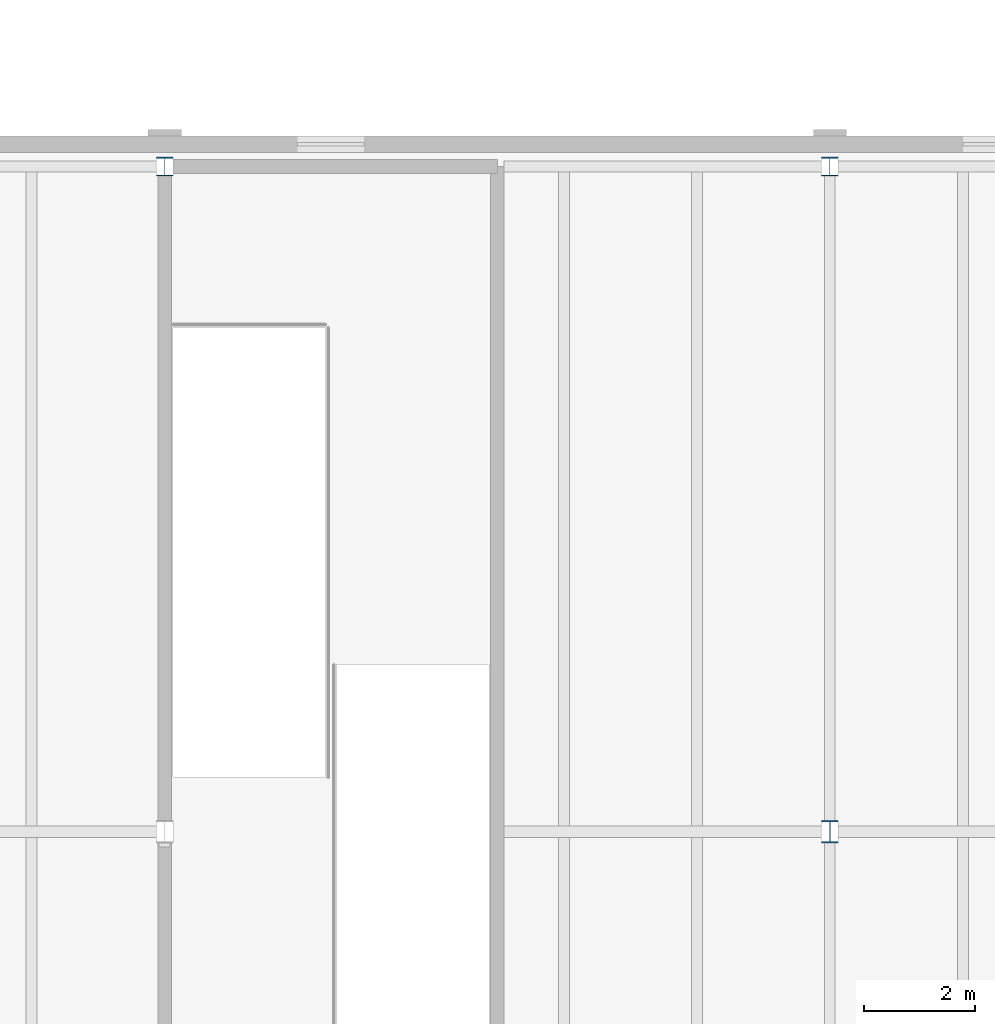
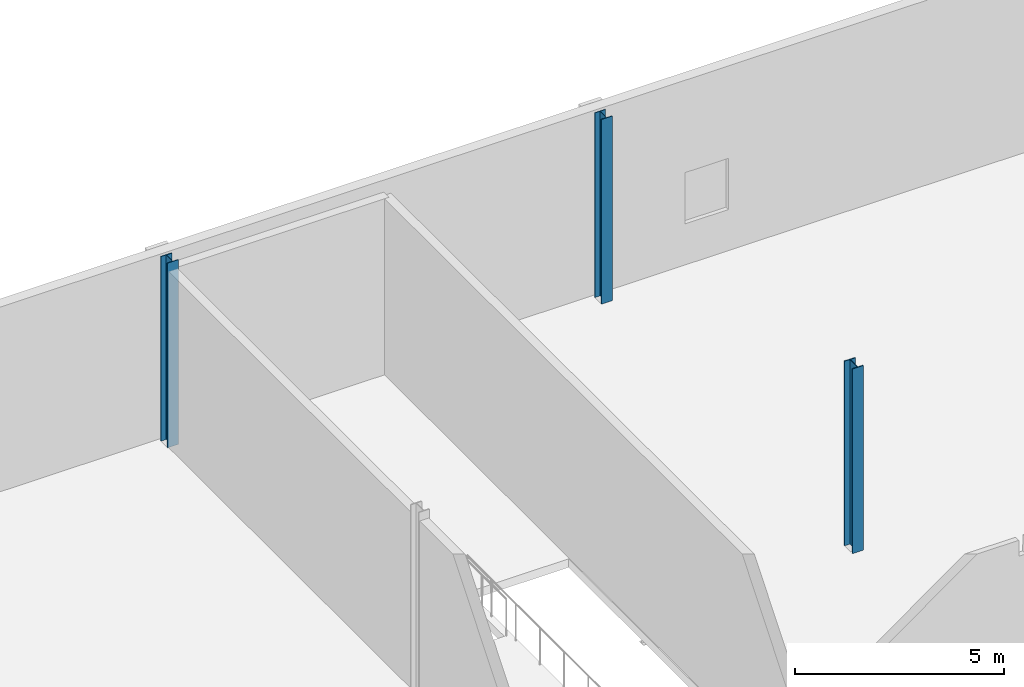
# One storey, part 6 of 321: 3 columns.
"""IFC4 building model written with IfcOpenShell, lengths in metres."""

from ifc_helpers import new_model, si_unit, direction, frame, origin, origin_2d, place, context, subcontext, project, spatial, i_section, extrude, material, material_profile, profile_set, type_object, element, save


model = new_model("IFC4")

# Units and contexts
model_context = context("Model", 3, precision=1e-05, world=origin(), true_north=direction((0.0, 1.0)))
body_context = subcontext(model_context, "Body", "Model", "MODEL_VIEW")
ifc_project = project(units=[si_unit("LENGTHUNIT", "METRE"), si_unit("AREAUNIT", "SQUARE_METRE"), si_unit("VOLUMEUNIT", "CUBIC_METRE"), si_unit("PLANEANGLEUNIT", "RADIAN"), si_unit("MASSUNIT", "GRAM", prefix="KILO")], contexts=[model_context])

# Site, building, storey
site_placement = place(None, origin())
site = spatial("IfcSite", under=ifc_project, at=site_placement, CompositionType="ELEMENT")
building_placement = place(site_placement, origin())
building = spatial("IfcBuilding", under=site, at=building_placement, Name="Ravi Spectrum Wholesale Market", CompositionType="ELEMENT")
storey_placement = place(building_placement, frame((0.0, 0.0, 10.800048828125)))
storey = spatial("IfcBuildingStorey", under=building, at=storey_placement, Name="L02", CompositionType="ELEMENT", Elevation=10.800048828125)

# Columns
ifc_material_1 = material(Name="Steel S355", Category="steel")
ifc_material_profile_1 = material_profile(ifc_material_1, i_section(OverallWidth=0.300048828125, OverallDepth=0.340087890625, WebThickness=0.011962890625, FlangeThickness=0.021484375, at=origin_2d()))
ifc_profile_set_1 = profile_set([ifc_material_profile_1], Name="Steel S355")
column_type_1 = type_object("IfcColumnType", Name="HEB 340 column", PredefinedType="COLUMN", material=ifc_profile_set_1)
for number, where, z_axis, x_axis, name in (
    (1, (246.0, 66.0, 0.0), (0.0, 0.0, 1.0), (1.0, 0.0, 0.0), "CS-COL-L02-025"),
    (2, (258.0, 66.0, 0.0), (0.0, 0.0, 1.0), (1.0, 0.0, 0.0), "CS-COL-L02-030"),
):
    element("IfcColumn", number, at=place(storey_placement, frame(where, z_axis=z_axis, x_axis=x_axis)), inside=storey, type_object=column_type_1, Name=name, PredefinedType="COLUMN", context=body_context, shape_type="SweptSolid", body=[
        extrude(i_section(OverallWidth=0.300048828125, OverallDepth=0.340087890625, WebThickness=0.011962890625, FlangeThickness=0.021484375, at=origin_2d()), origin(), (0.0, 0.0, 1.0), 5.39990234375),
    ])
ifc_material_2 = material(Name="Steel S355", Category="steel")
ifc_material_profile_2 = material_profile(ifc_material_2, i_section(OverallWidth=0.300048828125, OverallDepth=0.39990234375, WebThickness=0.013427734375, FlangeThickness=0.02392578125, at=origin_2d()))
ifc_profile_set_2 = profile_set([ifc_material_profile_2], Name="Steel S355")
column_type_2 = type_object("IfcColumnType", Name="HEB 400 column", PredefinedType="COLUMN", material=ifc_profile_set_2)
column_placement = place(storey_placement, frame((258.0, 54.0, 0.0), z_axis=(0.0, 0.0, 1.0), x_axis=(1.0, 0.0, 0.0)))
element("IfcColumn", 3, at=column_placement, inside=storey, type_object=column_type_2, Name="CS-COL-L02-029", PredefinedType="COLUMN", context=body_context, shape_type="SweptSolid", body=[
    extrude(i_section(OverallWidth=0.300048828125, OverallDepth=0.39990234375, WebThickness=0.013427734375, FlangeThickness=0.02392578125, at=origin_2d()), origin(), (0.0, 0.0, 1.0), 5.39990234375),
])

save(model, "model.ifc")
